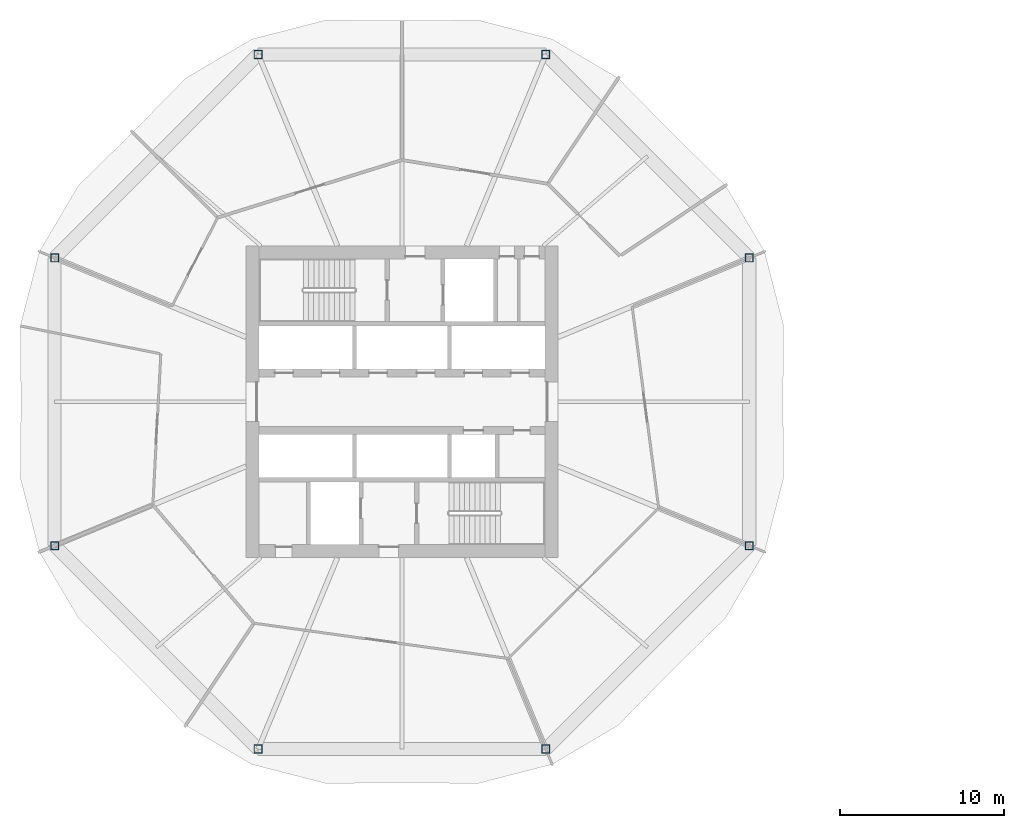
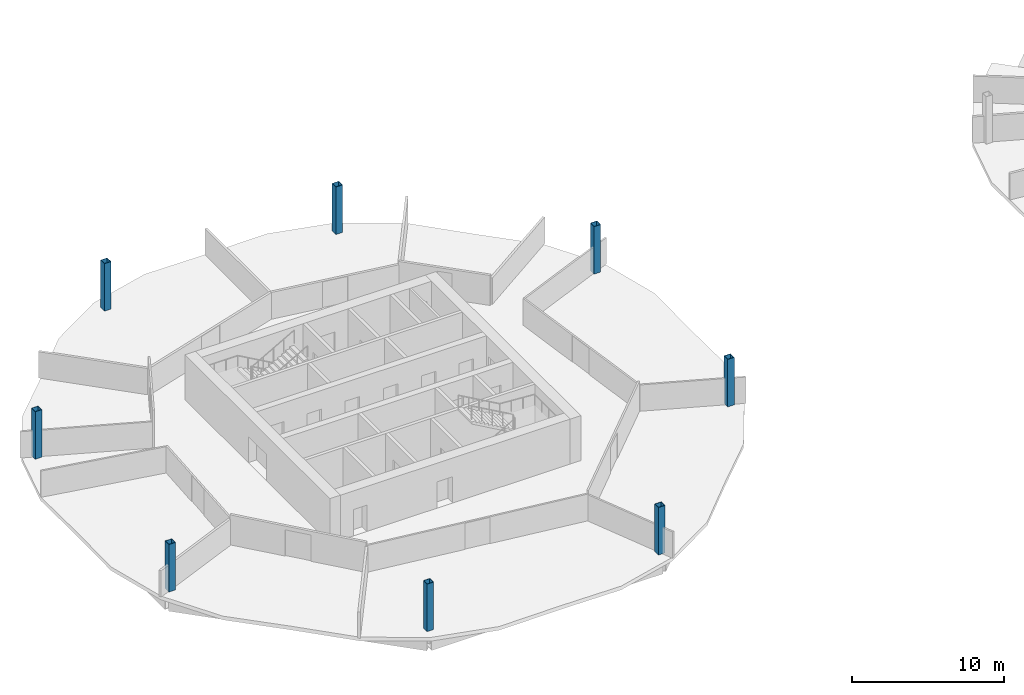
# One storey, part 1 of 9: 8 columns.
"""IFC4 building model written with IfcOpenShell, lengths in metres."""

from ifc_helpers import new_model, si_unit, direction, frame, origin, origin_2d, place, context, subcontext, project, spatial, hollow_rectangle, extrude, material, material_profile, profile_set, type_object, element, save


model = new_model("IFC4")

# Units and contexts
model_context = context("Model", 3, precision=1e-05, world=origin(), true_north=direction((0.0, 1.0)))
body_context = subcontext(model_context, "Body", "Model", "MODEL_VIEW")
ifc_project = project(units=[si_unit("LENGTHUNIT", "METRE"), si_unit("AREAUNIT", "SQUARE_METRE"), si_unit("VOLUMEUNIT", "CUBIC_METRE"), si_unit("PLANEANGLEUNIT", "RADIAN"), si_unit("MASSUNIT", "GRAM", prefix="KILO")], contexts=[model_context])

# Site, building, storey
site_placement = place(None, origin())
site = spatial("IfcSite", under=ifc_project, at=site_placement, CompositionType="ELEMENT")
building_placement = place(site_placement, origin())
building = spatial("IfcBuilding", under=site, at=building_placement, Name="Ogive Gate Towers", CompositionType="ELEMENT")
storey_placement = place(building_placement, frame((0.0, 0.0, 67.5)))
storey = spatial("IfcBuildingStorey", under=building, at=storey_placement, Name="L15", CompositionType="ELEMENT", Elevation=67.5)

# Columns
ifc_material = material(Name="Steel SM460", Category="steel")
ifc_material_profile = material_profile(ifc_material, hollow_rectangle(XDim=0.5, YDim=0.5, WallThickness=0.030029296875, at=origin_2d()), Name="BX 500x500x30")
ifc_profile_set = profile_set([ifc_material_profile], Name="Steel SM460")
column_type = type_object("IfcColumnType", Name="Perimeter post BX 500x500x30", PredefinedType="COLUMN", material=ifc_profile_set)
for number, where, z_axis, x_axis, name in (
    (1, (-14.84326171875, 8.763427734375, 0.0), (0.0, 0.0, 1.0), (1.0, 0.0, 0.0), "T1/L15/SCL001"),
    (2, (-27.236572265625, 21.15673828125, 0.0), (0.0, 0.0, 1.0), (1.0, 0.0, 0.0), "T1/L15/SCL002"),
    (3, (-44.763427734375, 21.15673828125, 0.0), (0.0, 0.0, 1.0), (1.0, 0.0, 0.0), "T1/L15/SCL003"),
    (4, (-57.15673828125, 8.763427734375, 0.0), (0.0, 0.0, 1.0), (1.0, 0.0, 0.0), "T1/L15/SCL004"),
    (5, (-57.15673828125, -8.763427734375, 0.0), (0.0, 0.0, 1.0), (1.0, 0.0, 0.0), "T1/L15/SCL005"),
    (6, (-44.763427734375, -21.15673828125, 0.0), (0.0, 0.0, 1.0), (1.0, 0.0, 0.0), "T1/L15/SCL006"),
    (7, (-27.236572265625, -21.15673828125, 0.0), (0.0, 0.0, 1.0), (1.0, 0.0, 0.0), "T1/L15/SCL007"),
    (8, (-14.84326171875, -8.763427734375, 0.0), (0.0, 0.0, 1.0), (1.0, 0.0, 0.0), "T1/L15/SCL008"),
):
    element("IfcColumn", number, at=place(storey_placement, frame(where, z_axis=z_axis, x_axis=x_axis)), inside=storey, type_object=column_type, Name=name, PredefinedType="COLUMN", context=body_context, shape_type="SweptSolid", body=[
        extrude(hollow_rectangle(XDim=0.5, YDim=0.5, WallThickness=0.030029296875, at=origin_2d()), origin(), (0.0, 0.0, 1.0), 3.800048828125),
    ])

save(model, "model.ifc")
